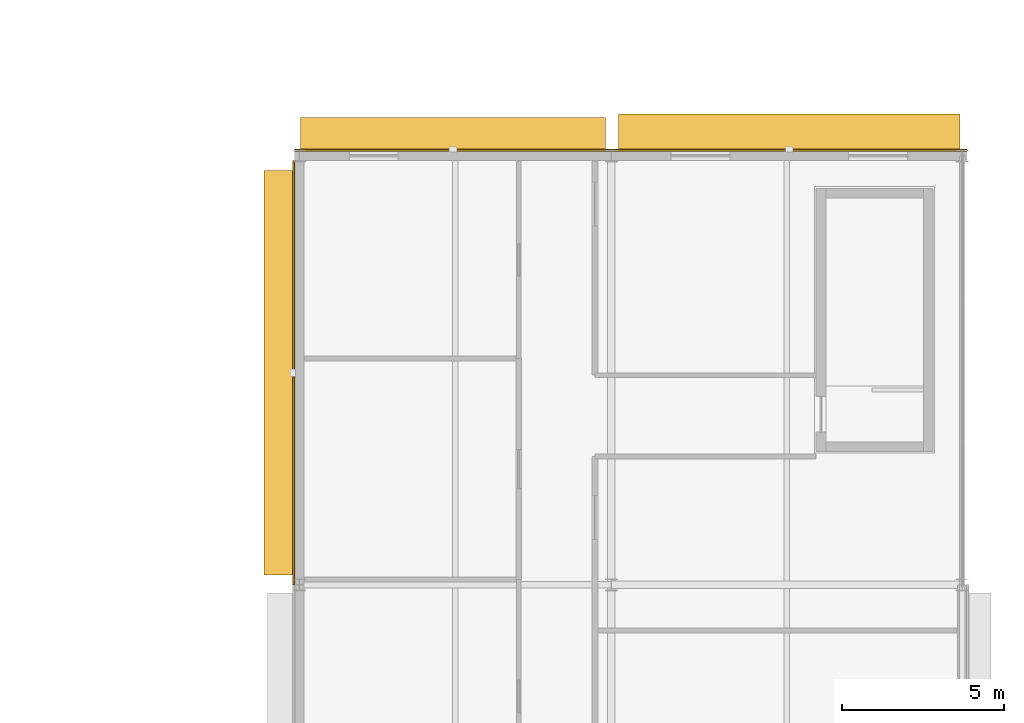
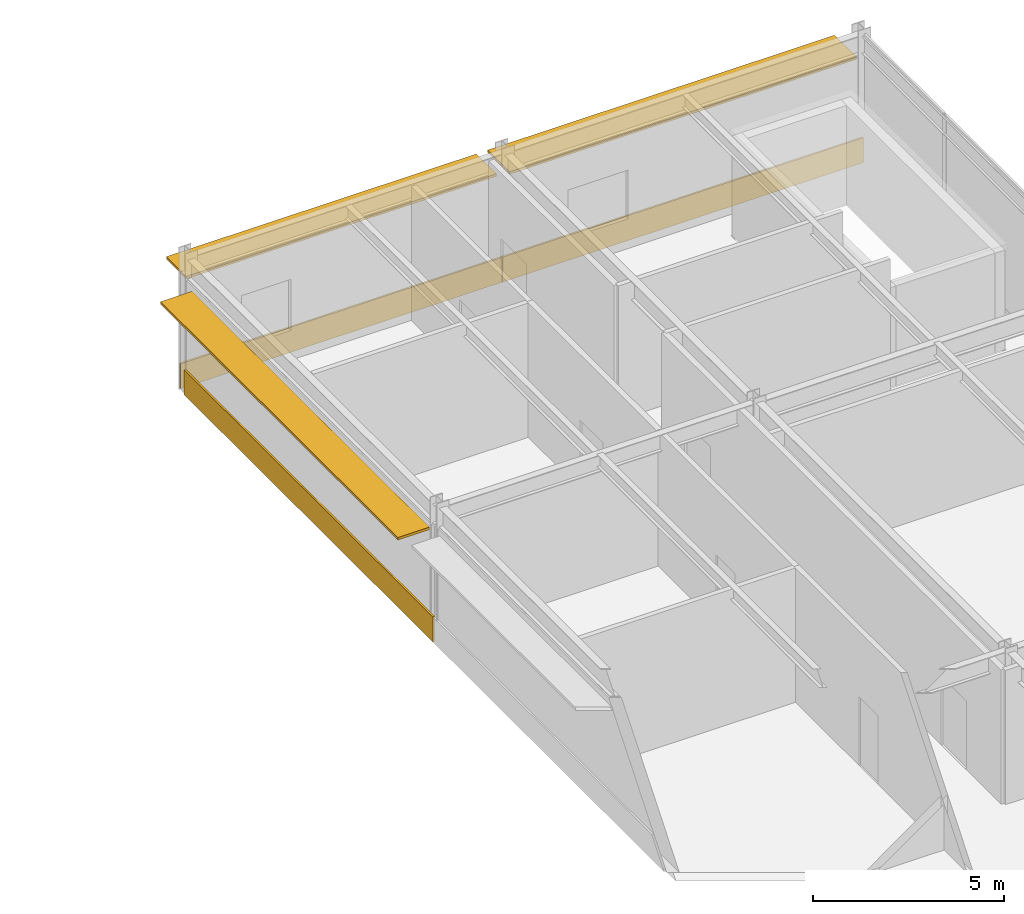
# One storey, part 50 of 50: 3 coverings, 3 shading devices.
"""IFC4 building model written with IfcOpenShell, lengths in metres."""

import ifcopenshell
import ifcopenshell.guid

model = None  # the IFC model being written
_history = None  # IfcOwnerHistory: only IFC2X3 demands one
_inside = {}  # id of a spatial element -> (the spatial element, [elements in it])
_under = {}  # id of a project, library or spatial element -> (it, [spatial elements below it])
_declared = {}  # id of a project -> (the project, [libraries it declares])
_typed = {}  # id of a type object -> (the type object, [elements of that type])
_made_of = {}  # id of a material, layer set ... -> (it, [elements and type objects made of it])


def new_model(schema):
    """Start an empty IFC model of exactly this schema.

    Asked for "IFC4X3", IfcOpenShell would pick the latest addendum, in which some entities
    have other attributes; the version numbers below select the first issue.
    IFC2X3 requires an IfcOwnerHistory on every rooted entity: one is made here for all.
    """
    global model, _history
    if schema == "IFC4X3":
        model = ifcopenshell.file(schema_version=(4, 3, 0, 0))
    else:
        model = ifcopenshell.file(schema=schema)
    _inside.clear()
    _under.clear()
    _declared.clear()
    _typed.clear()
    _made_of.clear()
    _history = None
    if model.schema == "IFC2X3":
        org = make("IfcOrganization", Name="unknown")
        user = make(
            "IfcPersonAndOrganization",
            ThePerson=make("IfcPerson", FamilyName="unknown"),
            TheOrganization=org,
        )
        app = make(
            "IfcApplication",
            ApplicationDeveloper=org,
            Version="unknown",
            ApplicationFullName="unknown",
            ApplicationIdentifier="unknown",
        )
        _history = make(
            "IfcOwnerHistory",
            OwningUser=user,
            OwningApplication=app,
            ChangeAction="ADDED",
            CreationDate=0,
        )
    return model


def make(cls, **values):
    """One entity of the class cls with the attributes given. An attribute that is None is left unset."""
    return model.create_entity(
        cls, **{name: value for name, value in values.items() if value is not None}
    )


def rooted(cls, **values):
    """An entity with a GlobalId (a new one), such as an element, a storey or a relation."""
    return make(cls, GlobalId=ifcopenshell.guid.new(), OwnerHistory=_history, **values)


def si_unit(unit_type, name, prefix=None):
    """IfcSIUnit, for example si_unit("LENGTHUNIT", "METRE", prefix="MILLI")."""
    return make("IfcSIUnit", UnitType=unit_type, Prefix=prefix, Name=name)


def assignment(units):
    """IfcUnitAssignment: the units of a project."""
    return None if units is None else make("IfcUnitAssignment", Units=units)


def point(xyz):
    """IfcCartesianPoint."""
    return None if xyz is None else make("IfcCartesianPoint", Coordinates=xyz)


def direction(xyz):
    """IfcDirection."""
    return None if xyz is None else make("IfcDirection", DirectionRatios=xyz)


def frame(location, z_axis=None, x_axis=None):
    """IfcAxis2Placement3D, a coordinate frame: its origin and axes. An axis left out is left unset."""
    return make(
        "IfcAxis2Placement3D",
        Location=point(location),
        Axis=direction(z_axis),
        RefDirection=direction(x_axis),
    )


def frame_2d(location, x_axis=None):
    """IfcAxis2Placement2D, a coordinate frame in the plane: its origin and x axis."""
    return make(
        "IfcAxis2Placement2D", Location=point(location), RefDirection=direction(x_axis)
    )


def origin():
    """The frame at (0, 0, 0) with its axes left unset."""
    return frame((0.0, 0.0, 0.0))


def origin_2d():
    """The frame at (0, 0) in the plane with its x axis left unset."""
    return frame_2d((0.0, 0.0))


def place(relative_to, where):
    """IfcLocalPlacement: puts the frame where relative to a parent placement (None: the world)."""
    return make(
        "IfcLocalPlacement", PlacementRelTo=relative_to, RelativePlacement=where
    )


def context(
    kind, dimensions, precision=None, world=None, true_north=None, identifier=None
):
    """IfcGeometricRepresentationContext, for example the 3D "Model" context."""
    return make(
        "IfcGeometricRepresentationContext",
        ContextIdentifier=identifier,
        ContextType=kind,
        CoordinateSpaceDimension=dimensions,
        Precision=precision,
        WorldCoordinateSystem=world,
        TrueNorth=true_north,
    )


def subcontext(parent, identifier, kind, view, scale=None):
    """IfcGeometricRepresentationSubContext, for example "Body" below "Model"."""
    return make(
        "IfcGeometricRepresentationSubContext",
        ContextIdentifier=identifier,
        ContextType=kind,
        ParentContext=parent,
        TargetScale=scale,
        TargetView=view,
    )


def project(units=None, contexts=None):
    """IfcProject with its units and contexts."""
    return rooted(
        "IfcProject",
        Name="project",
        RepresentationContexts=contexts,
        UnitsInContext=assignment(units),
    )


def spatial(cls, under=None, at=None, **own):
    """A site, building, storey or space (cls), placed at a placement, below another one or the project."""
    s = rooted(cls, ObjectPlacement=at, **own)
    if under is not None:
        _under.setdefault(under.id(), (under, []))[1].append(s)
    return s


def profile(cls, at=None, kind="AREA", **sizes):
    """A parametric profile (cls). Its sizes go by their IFC names, for example OverallWidth=200.0."""
    return make(cls, ProfileType=kind, Position=at, **sizes)


def rectangle(**sizes):
    """IfcRectangleProfileDef."""
    return profile("IfcRectangleProfileDef", **sizes)


def extrude(swept, where, along, depth):
    """IfcExtrudedAreaSolid: the profile swept, set in the frame where, extruded along a direction by depth."""
    return make(
        "IfcExtrudedAreaSolid",
        SweptArea=swept,
        Position=where,
        ExtrudedDirection=direction(along),
        Depth=depth,
    )


def shape(context_of_items, identifier, shape_type, items):
    """IfcShapeRepresentation: the items that make up one representation, for example the "Body"."""
    return make(
        "IfcShapeRepresentation",
        ContextOfItems=context_of_items,
        RepresentationIdentifier=identifier,
        RepresentationType=shape_type,
        Items=items,
    )


def material(Name=None, Category=None):
    """IfcMaterial."""
    return make("IfcMaterial", Name=Name, Category=Category)


def layer(
    of_material, thickness, ventilated=None, Name=None, Category=None, Priority=None
):
    """IfcMaterialLayer: one layer of a wall or slab, of a material (None: an air gap)."""
    return make(
        "IfcMaterialLayer",
        Material=of_material,
        LayerThickness=thickness,
        IsVentilated=ventilated,
        Name=Name,
        Category=Category,
        Priority=Priority,
    )


def layer_set(layers, Name=None):
    """IfcMaterialLayerSet."""
    return make("IfcMaterialLayerSet", MaterialLayers=layers, LayerSetName=Name)


def made_of(thing, what):
    """Note that an element or type object is made of a material, layer set ...; save() writes the relation."""
    if what is not None:
        _made_of.setdefault(what.id(), (what, []))[1].append(thing)
    return thing


def type_object(cls, material=None, **own):
    """A type object (cls), such as IfcWallType, which elements share."""
    return made_of(rooted(cls, **own), material)


def element(
    cls,
    number,
    at=None,
    inside=None,
    cuts=None,
    type_object=None,
    material=None,
    context=None,
    identifier="Body",
    shape_type=None,
    held_by="IfcProductDefinitionShape",
    body=None,
    shapes=None,
    **own,
):
    """One element of the class cls, such as IfcWall. Its Tag is "e" and its number.

    at: its placement. inside: the storey or other place that contains it. cuts: it is an
    opening in that element (IfcRelVoidsElement). A single representation is given by context,
    identifier, shape_type and body (its items); several are given by shapes. held_by: the class
    of the entity that holds the representations. save() writes the other relations.
    """
    e = rooted(cls, Tag="e%d" % number, ObjectPlacement=at, **own)
    if body is not None:
        shapes = [shape(context, identifier, shape_type, body)]
    if shapes is not None:
        e.Representation = make(held_by, Representations=shapes)
    if inside is not None:
        _inside.setdefault(inside.id(), (inside, []))[1].append(e)
    if cuts is not None:
        rooted(
            "IfcRelVoidsElement", RelatingBuildingElement=cuts, RelatedOpeningElement=e
        )
    if type_object is not None:
        _typed.setdefault(type_object.id(), (type_object, []))[1].append(e)
    return made_of(e, material)


def aggregate(whole, parts):
    """IfcRelAggregates: a whole, such as a stair, and the parts it consists of."""
    return rooted("IfcRelAggregates", RelatingObject=whole, RelatedObjects=parts)


def save(model, path):
    """Write the relations noted so far, then the file.

    IfcRelAggregates (storeys below a building ...), IfcRelContainedInSpatialStructure (elements
    in a storey), IfcRelDefinesByType, IfcRelAssociatesMaterial and IfcRelDeclares: one each for
    every whole, place, type object, material and project.
    """
    for whole, parts in _under.values():
        aggregate(whole, parts)
    for where, things in _inside.values():
        rooted(
            "IfcRelContainedInSpatialStructure",
            RelatedElements=things,
            RelatingStructure=where,
        )
    for kind, things in _typed.values():
        rooted("IfcRelDefinesByType", RelatedObjects=things, RelatingType=kind)
    for what, things in _made_of.values():
        rooted("IfcRelAssociatesMaterial", RelatedObjects=things, RelatingMaterial=what)
    for by, libraries in _declared.values():
        rooted("IfcRelDeclares", RelatingContext=by, RelatedDefinitions=libraries)
    model.write(path)


model = new_model("IFC4")

# Units and contexts
model_context = context("Model", 3, precision=1e-05, world=origin(), true_north=direction((0.0, 1.0)))
body_context = subcontext(model_context, "Body", "Model", "MODEL_VIEW")
ifc_project = project(units=[si_unit("LENGTHUNIT", "METRE"), si_unit("AREAUNIT", "SQUARE_METRE"), si_unit("VOLUMEUNIT", "CUBIC_METRE"), si_unit("PLANEANGLEUNIT", "RADIAN"), si_unit("MASSUNIT", "GRAM", prefix="KILO")], contexts=[model_context])

# Site, building, storey
site_placement = place(None, origin())
site = spatial("IfcSite", under=ifc_project, at=site_placement, CompositionType="ELEMENT")
building_placement = place(site_placement, origin())
building = spatial("IfcBuilding", under=site, at=building_placement, Name="Almandine Court Research Institute", CompositionType="ELEMENT")
storey_placement = place(building_placement, frame((0.0, 0.0, 23.449951171875)))
storey = spatial("IfcBuildingStorey", under=building, at=storey_placement, Name="L05", CompositionType="ELEMENT", Elevation=23.449951171875)

# Coverings
ifc_material_1 = material(Name="Extruded Cream-Ochre Seismic Terracotta Spandrel", Category="masonry")
ifc_layer_1 = layer(ifc_material_1, 0.054931640625)
ifc_layer_set_1 = layer_set([ifc_layer_1], Name="Extruded Cream-Ochre Seismic Terracotta Spandrel")
covering_type = type_object("IfcCoveringType", Name="Cov-CLAD-TERR", PredefinedType="CLADDING", material=ifc_layer_set_1)
covering_1_placement = place(storey_placement, frame((153.428955078125, 77.327880859375, 0.02001953125), z_axis=(0.0, 0.0, 1.0), x_axis=(0.0, 1.0, 0.0)))
element("IfcCovering", 1, at=covering_1_placement, inside=storey, type_object=covering_type, Name="L05 Facade Spandrel Cladding Band 190", PredefinedType="CLADDING", context=body_context, shape_type="SweptSolid", body=[
    extrude(rectangle(XDim=13.047119140625, YDim=0.054931640625, at=origin_2d()), origin(), (0.0, 0.0, 1.0), 0.800048828125),
])
covering_2_placement = place(storey_placement, frame((158.325927734375, 84.1708984375, 0.02001953125), z_axis=(0.0, 0.0, 1.0), x_axis=(1.0, 0.0, 0.0)))
element("IfcCovering", 2, at=covering_2_placement, inside=storey, type_object=covering_type, Name="L05 Facade Spandrel Cladding Band 191", PredefinedType="CLADDING", context=body_context, shape_type="SweptSolid", body=[
    extrude(rectangle(XDim=9.740966796875, YDim=0.054931640625, at=origin_2d()), origin(), (0.0, 0.0, 1.0), 0.800048828125),
])
covering_3_placement = place(storey_placement, frame((168.675048828125, 84.1708984375, 0.02001953125), z_axis=(0.0, 0.0, 1.0), x_axis=(1.0, 0.0, 0.0)))
element("IfcCovering", 3, at=covering_3_placement, inside=storey, type_object=covering_type, Name="L05 Facade Spandrel Cladding Band 192", PredefinedType="CLADDING", context=body_context, shape_type="SweptSolid", body=[
    extrude(rectangle(XDim=10.94091796875, YDim=0.054931640625, at=origin_2d()), origin(), (0.0, 0.0, 1.0), 0.800048828125),
])

# Shading devices
ifc_material_2 = material(Name="Precast GFRC Chhajja Sunshade and Acoustic Louvre", Category="concrete")
ifc_layer_2 = layer(ifc_material_2, 0.080078125)
ifc_layer_set_2 = layer_set([ifc_layer_2], Name="Precast GFRC Chhajja Sunshade and Acoustic Louvre")
shading_device_type_1 = type_object("IfcShadingDeviceType", Name="Shd-SD-70", PredefinedType="AWNING", material=ifc_layer_set_2)
shading_device_1_placement = place(storey_placement, frame((152.989990234375, 77.327880859375, 3.4150390625), z_axis=(0.0, 0.0, 1.0), x_axis=(0.0, 1.0, 0.0)))
element("IfcShadingDevice", 4, at=shading_device_1_placement, inside=storey, type_object=shading_device_type_1, Name="L05 Projecting Chhajja Sunshade 131", PredefinedType="AWNING", context=body_context, shape_type="SweptSolid", body=[
    extrude(rectangle(XDim=12.45703125, YDim=0.949951171875, at=origin_2d()), origin(), (0.0, 0.0, 1.0), 0.080078125),
])
ifc_layer_3 = layer(ifc_material_2, 0.080078125)
ifc_layer_set_3 = layer_set([ifc_layer_3], Name="Precast GFRC Chhajja Sunshade and Acoustic Louvre")
shading_device_type_2 = type_object("IfcShadingDeviceType", Name="Shd-SD-71", PredefinedType="AWNING", material=ifc_layer_set_3)
shading_device_2_placement = place(storey_placement, frame((158.325927734375, 84.659912109375, 3.48291015625), z_axis=(0.0, 0.0, 1.0), x_axis=(1.0, 0.0, 0.0)))
element("IfcShadingDevice", 5, at=shading_device_2_placement, inside=storey, type_object=shading_device_type_2, Name="L05 Projecting Chhajja Sunshade 132", PredefinedType="AWNING", context=body_context, shape_type="SweptSolid", body=[
    extrude(rectangle(XDim=9.39111328125, YDim=1.050048828125, at=origin_2d()), origin(), (0.0, 0.0, 1.0), 0.080078125),
])
ifc_layer_4 = layer(ifc_material_2, 0.080078125)
ifc_layer_set_4 = layer_set([ifc_layer_4], Name="Precast GFRC Chhajja Sunshade and Acoustic Louvre")
shading_device_type_3 = type_object("IfcShadingDeviceType", Name="Shd-SD-72", PredefinedType="AWNING", material=ifc_layer_set_4)
shading_device_3_placement = place(storey_placement, frame((168.675048828125, 84.7099609375, 3.406982421875), z_axis=(0.0, 0.0, 1.0), x_axis=(1.0, 0.0, 0.0)))
element("IfcShadingDevice", 6, at=shading_device_3_placement, inside=storey, type_object=shading_device_type_3, Name="L05 Projecting Chhajja Sunshade 133", PredefinedType="AWNING", context=body_context, shape_type="SweptSolid", body=[
    extrude(rectangle(XDim=10.510986328125, YDim=1.14990234375, at=origin_2d()), origin(), (0.0, 0.0, 1.0), 0.080078125),
])

save(model, "model.ifc")
